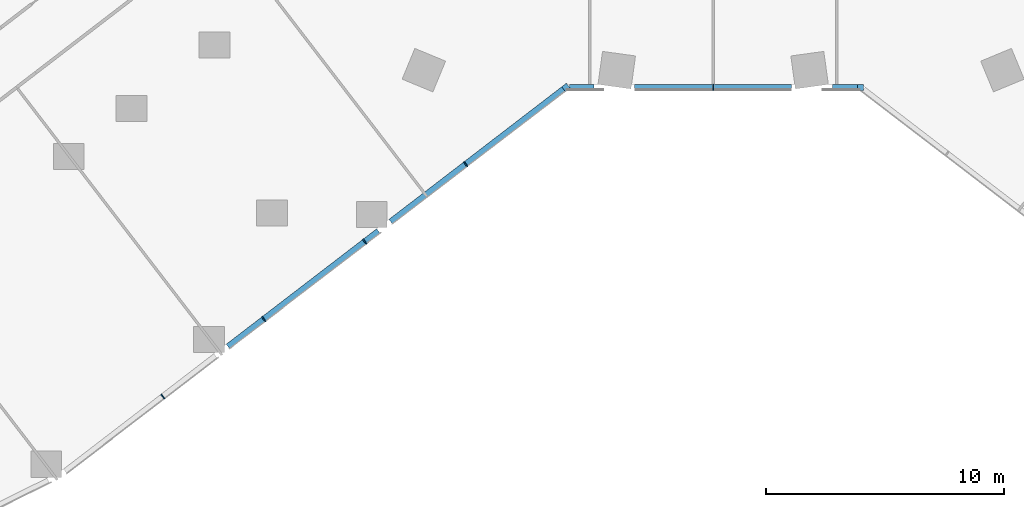
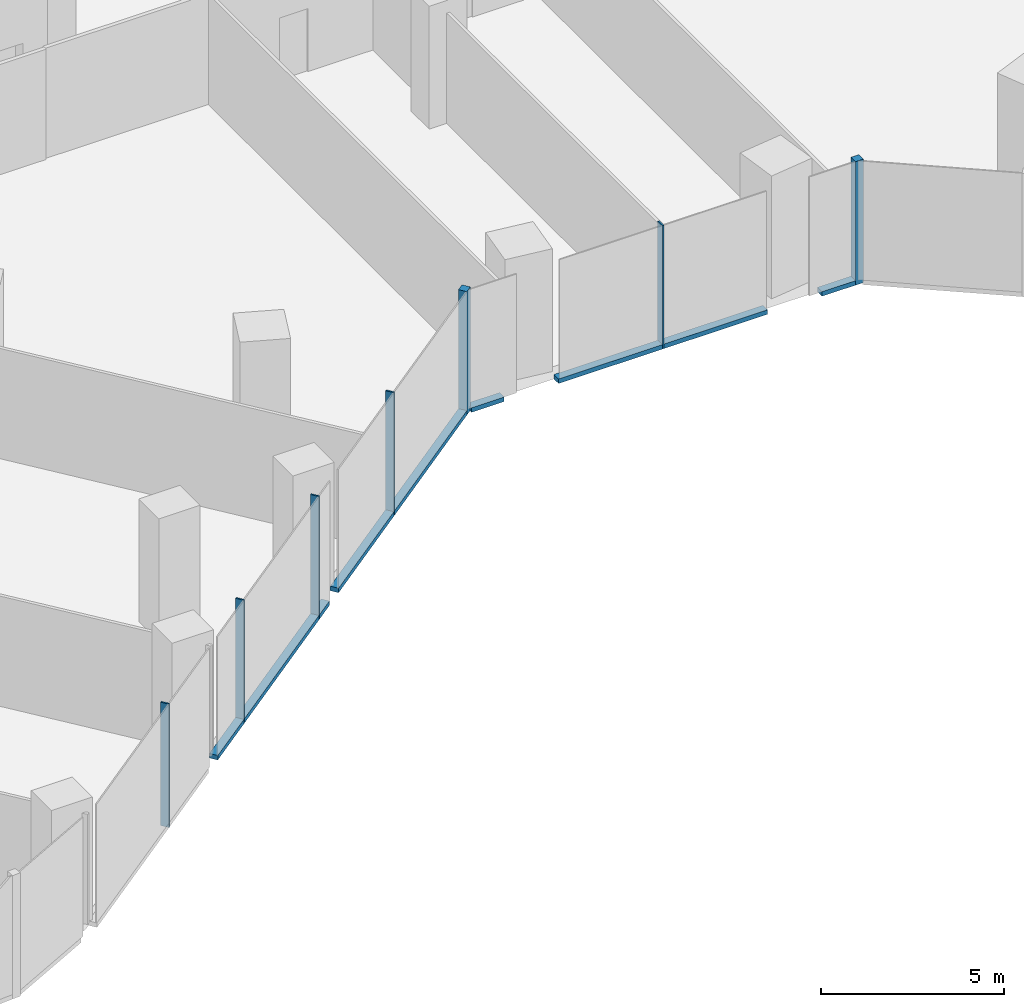
# One storey, part 4 of 29: 12 members, 2 elements without a shape of their own.
"""IFC4 building model written with IfcOpenShell, lengths in metres."""

from ifc_helpers import new_model, si_unit, direction, frame, origin, origin_2d, place, context, subcontext, project, spatial, rectangle, extrude, material, material_profile, profile_set, type_object, element, aggregate, save


model = new_model("IFC4")

# Units and contexts
model_context = context("Model", 3, precision=1e-05, world=origin(), true_north=direction((0.0, 1.0)))
body_context = subcontext(model_context, "Body", "Model", "MODEL_VIEW")
ifc_project = project(units=[si_unit("LENGTHUNIT", "METRE"), si_unit("AREAUNIT", "SQUARE_METRE"), si_unit("VOLUMEUNIT", "CUBIC_METRE"), si_unit("PLANEANGLEUNIT", "RADIAN"), si_unit("MASSUNIT", "GRAM", prefix="KILO")], contexts=[model_context])

# Site, building, storey
site_placement = place(None, origin())
site = spatial("IfcSite", under=ifc_project, at=site_placement, CompositionType="ELEMENT")
building_placement = place(site_placement, origin())
building = spatial("IfcBuilding", under=site, at=building_placement, Name="Orlundy Tower", CompositionType="ELEMENT")
storey_placement = place(building_placement, frame((0.0, 0.0, 25.10009765625)))
storey = spatial("IfcBuildingStorey", under=building, at=storey_placement, Name="L04", CompositionType="ELEMENT", Elevation=25.10009765625)

# Curtain wall, member
ifc_material_1 = material(Name="Aluminium bronze anodised", Category="aluminium")
curtain_wall_type = type_object("IfcCurtainWallType", Name="CW2 wall", PredefinedType="NOTDEFINED", material=ifc_material_1)
curtain_wall_1_placement = place(storey_placement, origin())
curtain_wall_1 = element("IfcCurtainWall", 1, at=curtain_wall_1_placement, inside=storey, type_object=curtain_wall_type, Name="CW2 run 01", PredefinedType="NOTDEFINED")
ifc_material_2 = material(Name="Aluminium bronze anodised", Category="aluminium")
ifc_material_profile_1 = material_profile(ifc_material_2, rectangle(XDim=0.25, YDim=0.25, at=origin_2d()), Name="CW2 corner post 250x250")
ifc_profile_set_1 = profile_set([ifc_material_profile_1], Name="Aluminium bronze anodised")
member_type_1 = type_object("IfcMemberType", Name="CW2 corner post 250x250", PredefinedType="MULLION", material=ifc_profile_set_1)
member_1_placement = place(storey_placement, frame((6.20068359375, -30.125, -0.420166015625), z_axis=(0.0, 0.0, 1.0), x_axis=(0.0, -1.0, 0.0)))
member_1 = element("IfcMember", 2, at=member_1_placement, type_object=member_type_1, Name="CW2 mullion 7", PredefinedType="MULLION", context=body_context, shape_type="SweptSolid", body=[
    extrude(rectangle(XDim=0.25, YDim=0.25, at=origin_2d()), origin(), (0.0, 0.0, 1.0), 4.1201171875),
])

curtain_wall_2_placement = place(storey_placement, origin())
curtain_wall_2 = element("IfcCurtainWall", 3, at=curtain_wall_2_placement, inside=storey, type_object=curtain_wall_type, Name="CW2 run 02", PredefinedType="NOTDEFINED")
member_2_placement = place(storey_placement, frame((-6.20068359375, -30.125, -0.420166015625), z_axis=(0.0, 0.0, 1.0), x_axis=(0.608763046543, -0.793352099111, 0.0)))
member_2 = element("IfcMember", 4, at=member_2_placement, type_object=member_type_1, Name="CW2 mullion 9", PredefinedType="MULLION", context=body_context, shape_type="SweptSolid", body=[
    extrude(rectangle(XDim=0.25, YDim=0.25, at=origin_2d()), origin(), (0.0, 0.0, 1.0), 4.1201171875),
])

# Member
ifc_material_3 = material(Name="Aluminium bronze anodised", Category="aluminium")
ifc_material_profile_2 = material_profile(ifc_material_3, rectangle(XDim=0.25, YDim=0.050048828125, at=origin_2d()), Name="CW2 mullion 50x250")
ifc_profile_set_2 = profile_set([ifc_material_profile_2], Name="Aluminium bronze anodised")
member_type_2 = type_object("IfcMemberType", Name="CW2 mullion 50x250", PredefinedType="MULLION", material=ifc_profile_set_2)
member_3_placement = place(storey_placement, frame((0.0, -30.125, -0.420166015625), z_axis=(0.0, 0.0, 1.0), x_axis=(0.0, -1.0, 0.0)))
member_3 = element("IfcMember", 5, at=member_3_placement, type_object=member_type_2, Name="CW2 mullion 8", PredefinedType="MULLION", context=body_context, shape_type="SweptSolid", body=[
    extrude(rectangle(XDim=0.25, YDim=0.050048828125, at=origin_2d()), origin(), (0.0, 0.0, 1.0), 4.1201171875),
])

member_4_placement = place(storey_placement, frame((-10.416748046875, -33.360107421875, -0.420166015625), z_axis=(0.0, 0.0, 1.0), x_axis=(0.608763046543, -0.793352099111, 0.0)))
member_4 = element("IfcMember", 6, at=member_4_placement, type_object=member_type_2, Name="CW2 mullion 10", PredefinedType="MULLION", context=body_context, shape_type="SweptSolid", body=[
    extrude(rectangle(XDim=0.25, YDim=0.050048828125, at=origin_2d()), origin(), (0.0, 0.0, 1.0), 4.1201171875),
])

member_5_placement = place(storey_placement, frame((-14.66650390625, -36.62109375, -0.420166015625), z_axis=(0.0, 0.0, 1.0), x_axis=(0.608763046543, -0.793352099111, 0.0)))
member_5 = element("IfcMember", 7, at=member_5_placement, type_object=member_type_2, Name="CW2 mullion 11", PredefinedType="MULLION", context=body_context, shape_type="SweptSolid", body=[
    extrude(rectangle(XDim=0.25, YDim=0.050048828125, at=origin_2d()), origin(), (0.0, 0.0, 1.0), 4.1201171875),
])

member_6_placement = place(storey_placement, frame((-18.916259765625, -39.882080078125, -0.420166015625), z_axis=(0.0, 0.0, 1.0), x_axis=(0.608763046543, -0.793352099111, 0.0)))
member_6 = element("IfcMember", 8, at=member_6_placement, type_object=member_type_2, Name="CW2 mullion 12", PredefinedType="MULLION", context=body_context, shape_type="SweptSolid", body=[
    extrude(rectangle(XDim=0.25, YDim=0.050048828125, at=origin_2d()), origin(), (0.0, 0.0, 1.0), 4.1201171875),
])

member_7_placement = place(storey_placement, frame((-23.166015625, -43.14306640625, -0.420166015625), z_axis=(0.0, 0.0, 1.0), x_axis=(0.608763046543, -0.793352099111, 0.0)))
member_7 = element("IfcMember", 9, at=member_7_placement, type_object=member_type_2, Name="CW2 mullion 13", PredefinedType="MULLION", context=body_context, shape_type="SweptSolid", body=[
    extrude(rectangle(XDim=0.25, YDim=0.050048828125, at=origin_2d()), origin(), (0.0, 0.0, 1.0), 4.1201171875),
])

ifc_material_4 = material(Name="Aluminium bronze anodised", Category="aluminium")
ifc_material_profile_3 = material_profile(ifc_material_4, rectangle(XDim=0.25, YDim=0.14990234375, at=origin_2d()), Name="CW2 transom 250x150")
ifc_profile_set_3 = profile_set([ifc_material_profile_3], Name="Aluminium bronze anodised")
member_type_3 = type_object("IfcMemberType", Name="CW2 transom 250x150", PredefinedType="USERDEFINED", material=ifc_profile_set_3)
member_8_placement = place(storey_placement, frame((6.07568359375, -30.125, -0.34521484375), z_axis=(-1.0, 0.0, 0.0), x_axis=(0.0, -1.0, 0.0)))
member_8 = element("IfcMember", 10, at=member_8_placement, type_object=member_type_3, Name="CW2 transom", ObjectType="TRANSOM", PredefinedType="USERDEFINED", context=body_context, shape_type="SweptSolid", body=[
    extrude(rectangle(XDim=0.25, YDim=0.14990234375, at=origin_2d()), origin(), (0.0, 0.0, 1.0), 1.05859375),
])

member_9_placement = place(storey_placement, frame((3.301025390625, -30.125, -0.34521484375), z_axis=(-1.0, 0.0, 0.0), x_axis=(0.0, -1.0, 0.0)))
member_9 = element("IfcMember", 11, at=member_9_placement, type_object=member_type_3, Name="CW2 transom", ObjectType="TRANSOM", PredefinedType="USERDEFINED", context=body_context, shape_type="SweptSolid", body=[
    extrude(rectangle(XDim=0.25, YDim=0.14990234375, at=origin_2d()), origin(), (0.0, 0.0, 1.0), 6.60205078125),
])

member_10_placement = place(storey_placement, frame((-5.01708984375, -30.125, -0.34521484375), z_axis=(-1.0, 0.0, 0.0), x_axis=(0.0, -1.0, 0.0)))
member_10 = element("IfcMember", 12, at=member_10_placement, type_object=member_type_3, Name="CW2 transom", ObjectType="TRANSOM", PredefinedType="USERDEFINED", context=body_context, shape_type="SweptSolid", body=[
    extrude(rectangle(XDim=0.25, YDim=0.14990234375, at=origin_2d()), origin(), (0.0, 0.0, 1.0), 1.02587890625),
])

aggregate(curtain_wall_1, [member_1, member_3, member_8, member_9, member_10])

member_11_placement = place(storey_placement, frame((-6.2998046875, -30.201171875, -0.34521484375), z_axis=(-0.793357195735, -0.608756404463, 0.0), x_axis=(0.608756404463, -0.793357195735, 0.0)))
member_11 = element("IfcMember", 13, at=member_11_placement, type_object=member_type_3, Name="CW2 transom", ObjectType="TRANSOM", PredefinedType="USERDEFINED", context=body_context, shape_type="SweptSolid", body=[
    extrude(rectangle(XDim=0.25, YDim=0.14990234375, at=origin_2d()), origin(), (0.0, 0.0, 1.0), 9.1650390625),
])

member_12_placement = place(storey_placement, frame((-14.091552734375, -36.179931640625, -0.34521484375), z_axis=(-0.793351608678, -0.608763685684, 0.0), x_axis=(0.608763685684, -0.793351608678, 0.0)))
member_12 = element("IfcMember", 14, at=member_12_placement, type_object=member_type_3, Name="CW2 transom", ObjectType="TRANSOM", PredefinedType="USERDEFINED", context=body_context, shape_type="SweptSolid", body=[
    extrude(rectangle(XDim=0.25, YDim=0.14990234375, at=origin_2d()), origin(), (0.0, 0.0, 1.0), 7.976806640625),
])

aggregate(curtain_wall_2, [member_2, member_4, member_5, member_6, member_7, member_11, member_12])

save(model, "model.ifc")
